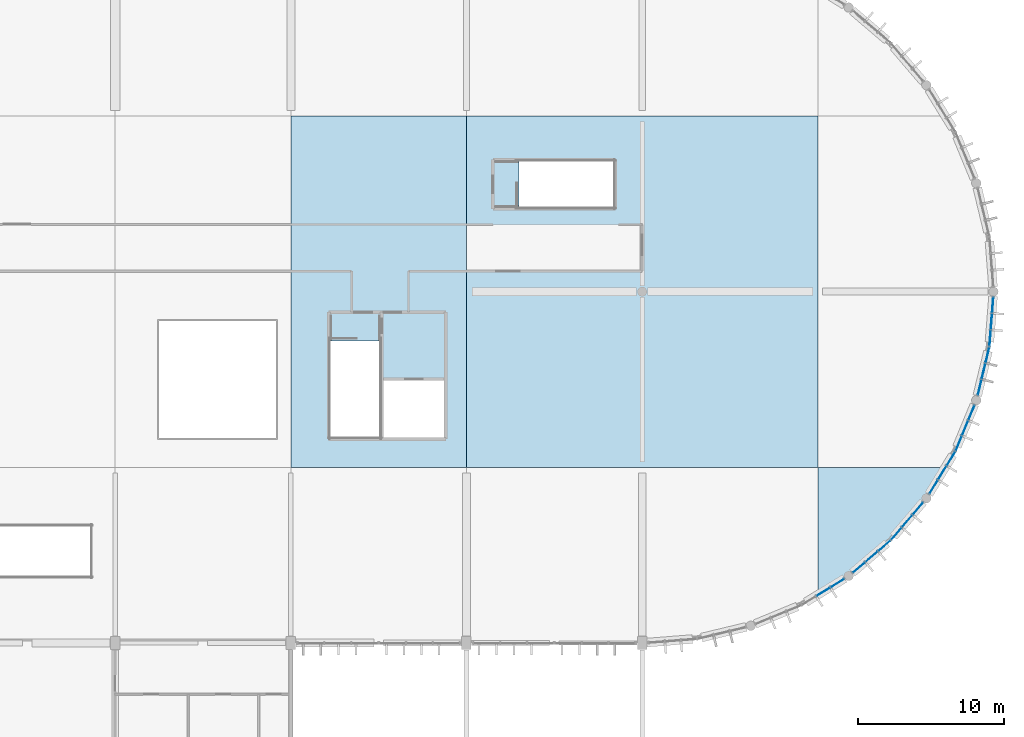
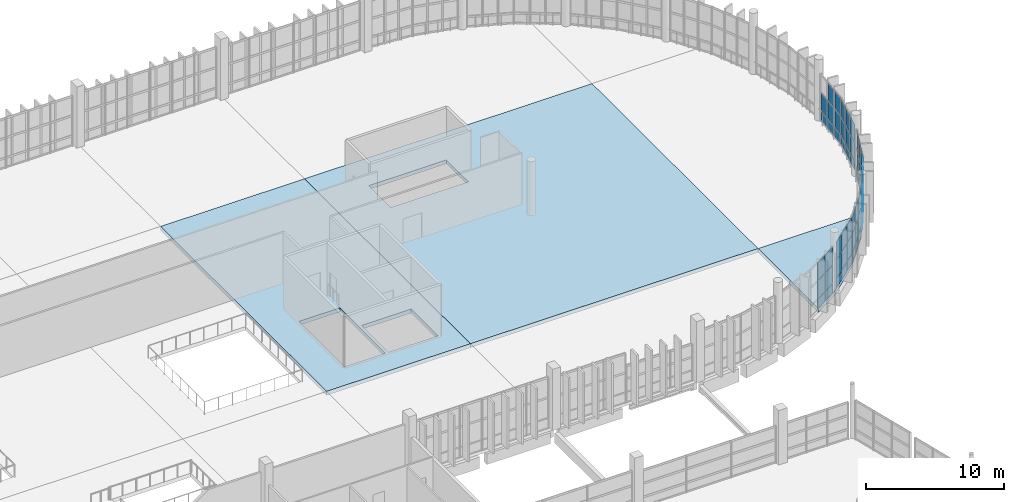
# One storey, part 69 of 112: 59 plates, 3 slabs, 7 elements without a shape of their own.
"""IFC4 building model written with IfcOpenShell, lengths in metres."""

import ifcopenshell
import ifcopenshell.guid

model = None  # the IFC model being written
_history = None  # IfcOwnerHistory: only IFC2X3 demands one
_inside = {}  # id of a spatial element -> (the spatial element, [elements in it])
_under = {}  # id of a project, library or spatial element -> (it, [spatial elements below it])
_declared = {}  # id of a project -> (the project, [libraries it declares])
_typed = {}  # id of a type object -> (the type object, [elements of that type])
_made_of = {}  # id of a material, layer set ... -> (it, [elements and type objects made of it])


def new_model(schema):
    """Start an empty IFC model of exactly this schema.

    Asked for "IFC4X3", IfcOpenShell would pick the latest addendum, in which some entities
    have other attributes; the version numbers below select the first issue.
    IFC2X3 requires an IfcOwnerHistory on every rooted entity: one is made here for all.
    """
    global model, _history
    if schema == "IFC4X3":
        model = ifcopenshell.file(schema_version=(4, 3, 0, 0))
    else:
        model = ifcopenshell.file(schema=schema)
    _inside.clear()
    _under.clear()
    _declared.clear()
    _typed.clear()
    _made_of.clear()
    _history = None
    if model.schema == "IFC2X3":
        org = make("IfcOrganization", Name="unknown")
        user = make(
            "IfcPersonAndOrganization",
            ThePerson=make("IfcPerson", FamilyName="unknown"),
            TheOrganization=org,
        )
        app = make(
            "IfcApplication",
            ApplicationDeveloper=org,
            Version="unknown",
            ApplicationFullName="unknown",
            ApplicationIdentifier="unknown",
        )
        _history = make(
            "IfcOwnerHistory",
            OwningUser=user,
            OwningApplication=app,
            ChangeAction="ADDED",
            CreationDate=0,
        )
    return model


def make(cls, **values):
    """One entity of the class cls with the attributes given. An attribute that is None is left unset."""
    return model.create_entity(
        cls, **{name: value for name, value in values.items() if value is not None}
    )


def rooted(cls, **values):
    """An entity with a GlobalId (a new one), such as an element, a storey or a relation."""
    return make(cls, GlobalId=ifcopenshell.guid.new(), OwnerHistory=_history, **values)


def si_unit(unit_type, name, prefix=None):
    """IfcSIUnit, for example si_unit("LENGTHUNIT", "METRE", prefix="MILLI")."""
    return make("IfcSIUnit", UnitType=unit_type, Prefix=prefix, Name=name)


def assignment(units):
    """IfcUnitAssignment: the units of a project."""
    return None if units is None else make("IfcUnitAssignment", Units=units)


def point(xyz):
    """IfcCartesianPoint."""
    return None if xyz is None else make("IfcCartesianPoint", Coordinates=xyz)


def direction(xyz):
    """IfcDirection."""
    return None if xyz is None else make("IfcDirection", DirectionRatios=xyz)


def frame(location, z_axis=None, x_axis=None):
    """IfcAxis2Placement3D, a coordinate frame: its origin and axes. An axis left out is left unset."""
    return make(
        "IfcAxis2Placement3D",
        Location=point(location),
        Axis=direction(z_axis),
        RefDirection=direction(x_axis),
    )


def frame_2d(location, x_axis=None):
    """IfcAxis2Placement2D, a coordinate frame in the plane: its origin and x axis."""
    return make(
        "IfcAxis2Placement2D", Location=point(location), RefDirection=direction(x_axis)
    )


def origin():
    """The frame at (0, 0, 0) with its axes left unset."""
    return frame((0.0, 0.0, 0.0))


def origin_2d():
    """The frame at (0, 0) in the plane with its x axis left unset."""
    return frame_2d((0.0, 0.0))


def place(relative_to, where):
    """IfcLocalPlacement: puts the frame where relative to a parent placement (None: the world)."""
    return make(
        "IfcLocalPlacement", PlacementRelTo=relative_to, RelativePlacement=where
    )


def context(
    kind, dimensions, precision=None, world=None, true_north=None, identifier=None
):
    """IfcGeometricRepresentationContext, for example the 3D "Model" context."""
    return make(
        "IfcGeometricRepresentationContext",
        ContextIdentifier=identifier,
        ContextType=kind,
        CoordinateSpaceDimension=dimensions,
        Precision=precision,
        WorldCoordinateSystem=world,
        TrueNorth=true_north,
    )


def subcontext(parent, identifier, kind, view, scale=None):
    """IfcGeometricRepresentationSubContext, for example "Body" below "Model"."""
    return make(
        "IfcGeometricRepresentationSubContext",
        ContextIdentifier=identifier,
        ContextType=kind,
        ParentContext=parent,
        TargetScale=scale,
        TargetView=view,
    )


def project(units=None, contexts=None):
    """IfcProject with its units and contexts."""
    return rooted(
        "IfcProject",
        Name="project",
        RepresentationContexts=contexts,
        UnitsInContext=assignment(units),
    )


def spatial(cls, under=None, at=None, **own):
    """A site, building, storey or space (cls), placed at a placement, below another one or the project."""
    s = rooted(cls, ObjectPlacement=at, **own)
    if under is not None:
        _under.setdefault(under.id(), (under, []))[1].append(s)
    return s


def polyline(points):
    """IfcPolyline through the points."""
    return make("IfcPolyline", Points=[point(p) for p in points])


def profile(cls, at=None, kind="AREA", **sizes):
    """A parametric profile (cls). Its sizes go by their IFC names, for example OverallWidth=200.0."""
    return make(cls, ProfileType=kind, Position=at, **sizes)


def rectangle(**sizes):
    """IfcRectangleProfileDef."""
    return profile("IfcRectangleProfileDef", **sizes)


def outline(outer, holes=None, kind="AREA"):
    """IfcArbitraryClosedProfileDef: a profile drawn as a closed curve; with holes, ...WithVoids."""
    if holes is None:
        return make("IfcArbitraryClosedProfileDef", ProfileType=kind, OuterCurve=outer)
    return make(
        "IfcArbitraryProfileDefWithVoids",
        ProfileType=kind,
        OuterCurve=outer,
        InnerCurves=holes,
    )


def extrude(swept, where, along, depth):
    """IfcExtrudedAreaSolid: the profile swept, set in the frame where, extruded along a direction by depth."""
    return make(
        "IfcExtrudedAreaSolid",
        SweptArea=swept,
        Position=where,
        ExtrudedDirection=direction(along),
        Depth=depth,
    )


def shape(context_of_items, identifier, shape_type, items):
    """IfcShapeRepresentation: the items that make up one representation, for example the "Body"."""
    return make(
        "IfcShapeRepresentation",
        ContextOfItems=context_of_items,
        RepresentationIdentifier=identifier,
        RepresentationType=shape_type,
        Items=items,
    )


def material(Name=None, Category=None):
    """IfcMaterial."""
    return make("IfcMaterial", Name=Name, Category=Category)


def layer(
    of_material, thickness, ventilated=None, Name=None, Category=None, Priority=None
):
    """IfcMaterialLayer: one layer of a wall or slab, of a material (None: an air gap)."""
    return make(
        "IfcMaterialLayer",
        Material=of_material,
        LayerThickness=thickness,
        IsVentilated=ventilated,
        Name=Name,
        Category=Category,
        Priority=Priority,
    )


def layer_set(layers, Name=None):
    """IfcMaterialLayerSet."""
    return make("IfcMaterialLayerSet", MaterialLayers=layers, LayerSetName=Name)


def made_of(thing, what):
    """Note that an element or type object is made of a material, layer set ...; save() writes the relation."""
    if what is not None:
        _made_of.setdefault(what.id(), (what, []))[1].append(thing)
    return thing


def type_object(cls, material=None, **own):
    """A type object (cls), such as IfcWallType, which elements share."""
    return made_of(rooted(cls, **own), material)


def element(
    cls,
    number,
    at=None,
    inside=None,
    cuts=None,
    type_object=None,
    material=None,
    context=None,
    identifier="Body",
    shape_type=None,
    held_by="IfcProductDefinitionShape",
    body=None,
    shapes=None,
    **own,
):
    """One element of the class cls, such as IfcWall. Its Tag is "e" and its number.

    at: its placement. inside: the storey or other place that contains it. cuts: it is an
    opening in that element (IfcRelVoidsElement). A single representation is given by context,
    identifier, shape_type and body (its items); several are given by shapes. held_by: the class
    of the entity that holds the representations. save() writes the other relations.
    """
    e = rooted(cls, Tag="e%d" % number, ObjectPlacement=at, **own)
    if body is not None:
        shapes = [shape(context, identifier, shape_type, body)]
    if shapes is not None:
        e.Representation = make(held_by, Representations=shapes)
    if inside is not None:
        _inside.setdefault(inside.id(), (inside, []))[1].append(e)
    if cuts is not None:
        rooted(
            "IfcRelVoidsElement", RelatingBuildingElement=cuts, RelatedOpeningElement=e
        )
    if type_object is not None:
        _typed.setdefault(type_object.id(), (type_object, []))[1].append(e)
    return made_of(e, material)


def aggregate(whole, parts):
    """IfcRelAggregates: a whole, such as a stair, and the parts it consists of."""
    return rooted("IfcRelAggregates", RelatingObject=whole, RelatedObjects=parts)


def save(model, path):
    """Write the relations noted so far, then the file.

    IfcRelAggregates (storeys below a building ...), IfcRelContainedInSpatialStructure (elements
    in a storey), IfcRelDefinesByType, IfcRelAssociatesMaterial and IfcRelDeclares: one each for
    every whole, place, type object, material and project.
    """
    for whole, parts in _under.values():
        aggregate(whole, parts)
    for where, things in _inside.values():
        rooted(
            "IfcRelContainedInSpatialStructure",
            RelatedElements=things,
            RelatingStructure=where,
        )
    for kind, things in _typed.values():
        rooted("IfcRelDefinesByType", RelatedObjects=things, RelatingType=kind)
    for what, things in _made_of.values():
        rooted("IfcRelAssociatesMaterial", RelatedObjects=things, RelatingMaterial=what)
    for by, libraries in _declared.values():
        rooted("IfcRelDeclares", RelatingContext=by, RelatedDefinitions=libraries)
    model.write(path)


model = new_model("IFC4")

# Units and contexts
model_context = context("Model", 3, precision=1e-05, world=origin(), true_north=direction((0.0, 1.0)))
body_context = subcontext(model_context, "Body", "Model", "MODEL_VIEW")
ifc_project = project(units=[si_unit("LENGTHUNIT", "METRE"), si_unit("AREAUNIT", "SQUARE_METRE"), si_unit("VOLUMEUNIT", "CUBIC_METRE"), si_unit("PLANEANGLEUNIT", "RADIAN"), si_unit("MASSUNIT", "GRAM", prefix="KILO")], contexts=[model_context])

# Site, building, storey
site_placement = place(None, origin())
site = spatial("IfcSite", under=ifc_project, at=site_placement, CompositionType="ELEMENT")
building_placement = place(site_placement, origin())
building = spatial("IfcBuilding", under=site, at=building_placement, Name="Kamomehara Wholesale Market", CompositionType="ELEMENT")
storey_placement = place(building_placement, frame((0.0, 0.0, 6.60009765625)))
storey = spatial("IfcBuildingStorey", under=building, at=storey_placement, Name="L01", CompositionType="ELEMENT", Elevation=6.60009765625)

# Curtain wall, plates
ifc_material_1 = material(Name="Anodised aluminium 6063-T5", Category="aluminium")
curtain_wall_type = type_object("IfcCurtainWallType", Name="CW-UN-05", PredefinedType="NOTDEFINED", material=ifc_material_1)
curtain_wall_1_placement = place(storey_placement, origin())
curtain_wall_1 = element("IfcCurtainWall", 1, at=curtain_wall_1_placement, inside=storey, type_object=curtain_wall_type, Name="Unitised curtain wall CW-107", PredefinedType="NOTDEFINED")
ifc_material_2 = material(Name="Solar-control Low-E double glazing", Category="glass")
ifc_layer_1 = layer(ifc_material_2, 0.028076171875)
ifc_layer_set_1 = layer_set([ifc_layer_1], Name="Solar-control Low-E double glazing")
plate_type_1 = type_object("IfcPlateType", Name="CW-PNL-GLZ", PredefinedType="CURTAIN_PANEL", material=ifc_layer_set_1)
plate_1_placement = place(storey_placement, frame((203.948974609375, 131.095947265625, 0.929931640625), z_axis=(0.0, 0.0, 1.0), x_axis=(-0.078354698359, -0.996925544484, 0.0)))
plate_1 = element("IfcPlate", 2, at=plate_1_placement, type_object=plate_type_1, Name="Curtain panel CW-107.0.1", PredefinedType="CURTAIN_PANEL", context=body_context, shape_type="SweptSolid", body=[
    extrude(rectangle(XDim=1.06005859375, YDim=0.028076171875, at=origin_2d()), origin(), (0.0, 0.0, 1.0), 1.580078125),
])
plate_2_placement = place(storey_placement, frame((203.860107421875, 129.958984375, 0.929931640625), z_axis=(0.0, 0.0, 1.0), x_axis=(-0.078354698359, -0.996925544484, 0.0)))
plate_2 = element("IfcPlate", 3, at=plate_2_placement, type_object=plate_type_1, Name="Curtain panel CW-107.1.1", PredefinedType="CURTAIN_PANEL", context=body_context, shape_type="SweptSolid", body=[
    extrude(rectangle(XDim=1.06005859375, YDim=0.028076171875, at=origin_2d()), origin(), (0.0, 0.0, 1.0), 1.580078125),
])
plate_3_placement = place(storey_placement, frame((203.860107421875, 129.958984375, 2.56982421875), z_axis=(0.0, 0.0, 1.0), x_axis=(-0.078354698359, -0.996925544484, 0.0)))
plate_3 = element("IfcPlate", 4, at=plate_3_placement, type_object=plate_type_1, Name="Curtain panel CW-107.1.2", PredefinedType="CURTAIN_PANEL", context=body_context, shape_type="SweptSolid", body=[
    extrude(rectangle(XDim=1.06005859375, YDim=0.028076171875, at=origin_2d()), origin(), (0.0, 0.0, 1.0), 1.5400390625),
])
plate_4_placement = place(storey_placement, frame((203.77099609375, 128.822998046875, 0.929931640625), z_axis=(0.0, 0.0, 1.0), x_axis=(-0.078354698359, -0.996925544484, 0.0)))
plate_4 = element("IfcPlate", 5, at=plate_4_placement, type_object=plate_type_1, Name="Curtain panel CW-107.2.1", PredefinedType="CURTAIN_PANEL", context=body_context, shape_type="SweptSolid", body=[
    extrude(rectangle(XDim=1.06005859375, YDim=0.028076171875, at=origin_2d()), origin(), (0.0, 0.0, 1.0), 1.580078125),
])
plate_5_placement = place(storey_placement, frame((203.77099609375, 128.822998046875, 2.56982421875), z_axis=(0.0, 0.0, 1.0), x_axis=(-0.078354698359, -0.996925544484, 0.0)))
plate_5 = element("IfcPlate", 6, at=plate_5_placement, type_object=plate_type_1, Name="Curtain panel CW-107.2.2", PredefinedType="CURTAIN_PANEL", context=body_context, shape_type="SweptSolid", body=[
    extrude(rectangle(XDim=1.06005859375, YDim=0.028076171875, at=origin_2d()), origin(), (0.0, 0.0, 1.0), 1.5400390625),
])

curtain_wall_2_placement = place(storey_placement, origin())
curtain_wall_2 = element("IfcCurtainWall", 7, at=curtain_wall_2_placement, inside=storey, type_object=curtain_wall_type, Name="Unitised curtain wall CW-108", PredefinedType="NOTDEFINED")
plate_6_placement = place(storey_placement, frame((203.589111328125, 127.677001953125, 0.929931640625), z_axis=(0.0, 0.0, 1.0), x_axis=(-0.233852648724, -0.972272049729, 0.0)))
plate_6 = element("IfcPlate", 8, at=plate_6_placement, type_object=plate_type_1, Name="Curtain panel CW-108.0.1", PredefinedType="CURTAIN_PANEL", context=body_context, shape_type="SweptSolid", body=[
    extrude(rectangle(XDim=1.06005859375, YDim=0.028076171875, at=origin_2d()), origin(), (0.0, 0.0, 1.0), 1.580078125),
])
plate_7_placement = place(storey_placement, frame((203.589111328125, 127.677001953125, 2.56982421875), z_axis=(0.0, 0.0, 1.0), x_axis=(-0.233852648724, -0.972272049729, 0.0)))
plate_7 = element("IfcPlate", 9, at=plate_7_placement, type_object=plate_type_1, Name="Curtain panel CW-108.0.2", PredefinedType="CURTAIN_PANEL", context=body_context, shape_type="SweptSolid", body=[
    extrude(rectangle(XDim=1.06005859375, YDim=0.028076171875, at=origin_2d()), origin(), (0.0, 0.0, 1.0), 1.5400390625),
])
plate_8_placement = place(storey_placement, frame((203.322021484375, 126.568115234375, 0.929931640625), z_axis=(0.0, 0.0, 1.0), x_axis=(-0.233852648724, -0.972272049729, 0.0)))
plate_8 = element("IfcPlate", 10, at=plate_8_placement, type_object=plate_type_1, Name="Curtain panel CW-108.1.1", PredefinedType="CURTAIN_PANEL", context=body_context, shape_type="SweptSolid", body=[
    extrude(rectangle(XDim=1.06005859375, YDim=0.028076171875, at=origin_2d()), origin(), (0.0, 0.0, 1.0), 1.580078125),
])
plate_9_placement = place(storey_placement, frame((203.322021484375, 126.568115234375, 2.56982421875), z_axis=(0.0, 0.0, 1.0), x_axis=(-0.233852648724, -0.972272049729, 0.0)))
plate_9 = element("IfcPlate", 11, at=plate_9_placement, type_object=plate_type_1, Name="Curtain panel CW-108.1.2", PredefinedType="CURTAIN_PANEL", context=body_context, shape_type="SweptSolid", body=[
    extrude(rectangle(XDim=1.06005859375, YDim=0.028076171875, at=origin_2d()), origin(), (0.0, 0.0, 1.0), 1.5400390625),
])
plate_10_placement = place(storey_placement, frame((203.055908203125, 125.4599609375, 0.929931640625), z_axis=(0.0, 0.0, 1.0), x_axis=(-0.233852648724, -0.972272049729, 0.0)))
plate_10 = element("IfcPlate", 12, at=plate_10_placement, type_object=plate_type_1, Name="Curtain panel CW-108.2.1", PredefinedType="CURTAIN_PANEL", context=body_context, shape_type="SweptSolid", body=[
    extrude(rectangle(XDim=1.06005859375, YDim=0.028076171875, at=origin_2d()), origin(), (0.0, 0.0, 1.0), 1.580078125),
])
plate_11_placement = place(storey_placement, frame((203.055908203125, 125.4599609375, 2.56982421875), z_axis=(0.0, 0.0, 1.0), x_axis=(-0.233852648724, -0.972272049729, 0.0)))
plate_11 = element("IfcPlate", 13, at=plate_11_placement, type_object=plate_type_1, Name="Curtain panel CW-108.2.2", PredefinedType="CURTAIN_PANEL", context=body_context, shape_type="SweptSolid", body=[
    extrude(rectangle(XDim=1.06005859375, YDim=0.028076171875, at=origin_2d()), origin(), (0.0, 0.0, 1.0), 1.5400390625),
])

curtain_wall_3_placement = place(storey_placement, origin())
curtain_wall_3 = element("IfcCurtainWall", 14, at=curtain_wall_3_placement, inside=storey, type_object=curtain_wall_type, Name="Unitised curtain wall CW-109", PredefinedType="NOTDEFINED")
plate_12_placement = place(storey_placement, frame((202.4970703125, 123.739990234375, 0.929931640625), z_axis=(0.0, 0.0, 1.0), x_axis=(-0.382602807209, -0.923912924423, 0.0)))
plate_12 = element("IfcPlate", 15, at=plate_12_placement, type_object=plate_type_1, Name="Curtain panel CW-109.0.1", PredefinedType="CURTAIN_PANEL", context=body_context, shape_type="SweptSolid", body=[
    extrude(rectangle(XDim=1.06005859375, YDim=0.028076171875, at=origin_2d()), origin(), (0.0, 0.0, 1.0), 1.580078125),
])
plate_13_placement = place(storey_placement, frame((202.4970703125, 123.739990234375, 2.56982421875), z_axis=(0.0, 0.0, 1.0), x_axis=(-0.382602807209, -0.923912924423, 0.0)))
plate_13 = element("IfcPlate", 16, at=plate_13_placement, type_object=plate_type_1, Name="Curtain panel CW-109.0.2", PredefinedType="CURTAIN_PANEL", context=body_context, shape_type="SweptSolid", body=[
    extrude(rectangle(XDim=1.06005859375, YDim=0.028076171875, at=origin_2d()), origin(), (0.0, 0.0, 1.0), 1.5400390625),
])
plate_14_placement = place(storey_placement, frame((202.06103515625, 122.68603515625, 0.929931640625), z_axis=(0.0, 0.0, 1.0), x_axis=(-0.382602807209, -0.923912924423, 0.0)))
plate_14 = element("IfcPlate", 17, at=plate_14_placement, type_object=plate_type_1, Name="Curtain panel CW-109.1.1", PredefinedType="CURTAIN_PANEL", context=body_context, shape_type="SweptSolid", body=[
    extrude(rectangle(XDim=1.06005859375, YDim=0.028076171875, at=origin_2d()), origin(), (0.0, 0.0, 1.0), 1.580078125),
])
plate_15_placement = place(storey_placement, frame((202.06103515625, 122.68603515625, 2.56982421875), z_axis=(0.0, 0.0, 1.0), x_axis=(-0.382602807209, -0.923912924423, 0.0)))
plate_15 = element("IfcPlate", 18, at=plate_15_placement, type_object=plate_type_1, Name="Curtain panel CW-109.1.2", PredefinedType="CURTAIN_PANEL", context=body_context, shape_type="SweptSolid", body=[
    extrude(rectangle(XDim=1.06005859375, YDim=0.028076171875, at=origin_2d()), origin(), (0.0, 0.0, 1.0), 1.5400390625),
])
plate_16_placement = place(storey_placement, frame((201.625, 121.632080078125, 0.929931640625), z_axis=(0.0, 0.0, 1.0), x_axis=(-0.382602807209, -0.923912924423, 0.0)))
plate_16 = element("IfcPlate", 19, at=plate_16_placement, type_object=plate_type_1, Name="Curtain panel CW-109.2.1", PredefinedType="CURTAIN_PANEL", context=body_context, shape_type="SweptSolid", body=[
    extrude(rectangle(XDim=1.06005859375, YDim=0.028076171875, at=origin_2d()), origin(), (0.0, 0.0, 1.0), 1.580078125),
])
plate_17_placement = place(storey_placement, frame((201.625, 121.632080078125, 2.56982421875), z_axis=(0.0, 0.0, 1.0), x_axis=(-0.382602807209, -0.923912924423, 0.0)))
plate_17 = element("IfcPlate", 20, at=plate_17_placement, type_object=plate_type_1, Name="Curtain panel CW-109.2.2", PredefinedType="CURTAIN_PANEL", context=body_context, shape_type="SweptSolid", body=[
    extrude(rectangle(XDim=1.06005859375, YDim=0.028076171875, at=origin_2d()), origin(), (0.0, 0.0, 1.0), 1.5400390625),
])

curtain_wall_4_placement = place(storey_placement, origin())
curtain_wall_4 = element("IfcCurtainWall", 21, at=curtain_wall_4_placement, inside=storey, type_object=curtain_wall_type, Name="Unitised curtain wall CW-110", PredefinedType="NOTDEFINED")
plate_18_placement = place(storey_placement, frame((201.097900390625, 120.59912109375, 0.929931640625), z_axis=(0.0, 0.0, 1.0), x_axis=(-0.522721767481, -0.852503345332, 0.0)))
plate_18 = element("IfcPlate", 22, at=plate_18_placement, type_object=plate_type_1, Name="Curtain panel CW-110.0.1", PredefinedType="CURTAIN_PANEL", context=body_context, shape_type="SweptSolid", body=[
    extrude(rectangle(XDim=1.06005859375, YDim=0.028076171875, at=origin_2d()), origin(), (0.0, 0.0, 1.0), 1.580078125),
])
plate_19_placement = place(storey_placement, frame((201.097900390625, 120.59912109375, 2.56982421875), z_axis=(0.0, 0.0, 1.0), x_axis=(-0.522721767481, -0.852503345332, 0.0)))
plate_19 = element("IfcPlate", 23, at=plate_19_placement, type_object=plate_type_1, Name="Curtain panel CW-110.0.2", PredefinedType="CURTAIN_PANEL", context=body_context, shape_type="SweptSolid", body=[
    extrude(rectangle(XDim=1.06005859375, YDim=0.028076171875, at=origin_2d()), origin(), (0.0, 0.0, 1.0), 1.5400390625),
])
plate_20_placement = place(storey_placement, frame((200.501953125, 119.626953125, 0.929931640625), z_axis=(0.0, 0.0, 1.0), x_axis=(-0.522721767481, -0.852503345332, 0.0)))
plate_20 = element("IfcPlate", 24, at=plate_20_placement, type_object=plate_type_1, Name="Curtain panel CW-110.1.1", PredefinedType="CURTAIN_PANEL", context=body_context, shape_type="SweptSolid", body=[
    extrude(rectangle(XDim=1.06005859375, YDim=0.028076171875, at=origin_2d()), origin(), (0.0, 0.0, 1.0), 1.580078125),
])
plate_21_placement = place(storey_placement, frame((200.501953125, 119.626953125, 2.56982421875), z_axis=(0.0, 0.0, 1.0), x_axis=(-0.522721767481, -0.852503345332, 0.0)))
plate_21 = element("IfcPlate", 25, at=plate_21_placement, type_object=plate_type_1, Name="Curtain panel CW-110.1.2", PredefinedType="CURTAIN_PANEL", context=body_context, shape_type="SweptSolid", body=[
    extrude(rectangle(XDim=1.06005859375, YDim=0.028076171875, at=origin_2d()), origin(), (0.0, 0.0, 1.0), 1.5400390625),
])
plate_22_placement = place(storey_placement, frame((199.906005859375, 118.655029296875, 0.929931640625), z_axis=(0.0, 0.0, 1.0), x_axis=(-0.522721767481, -0.852503345332, 0.0)))
plate_22 = element("IfcPlate", 26, at=plate_22_placement, type_object=plate_type_1, Name="Curtain panel CW-110.2.1", PredefinedType="CURTAIN_PANEL", context=body_context, shape_type="SweptSolid", body=[
    extrude(rectangle(XDim=1.06005859375, YDim=0.028076171875, at=origin_2d()), origin(), (0.0, 0.0, 1.0), 1.580078125),
])
plate_23_placement = place(storey_placement, frame((199.906005859375, 118.655029296875, 2.56982421875), z_axis=(0.0, 0.0, 1.0), x_axis=(-0.522721767481, -0.852503345332, 0.0)))
plate_23 = element("IfcPlate", 27, at=plate_23_placement, type_object=plate_type_1, Name="Curtain panel CW-110.2.2", PredefinedType="CURTAIN_PANEL", context=body_context, shape_type="SweptSolid", body=[
    extrude(rectangle(XDim=1.06005859375, YDim=0.028076171875, at=origin_2d()), origin(), (0.0, 0.0, 1.0), 1.5400390625),
])

curtain_wall_5_placement = place(storey_placement, origin())
curtain_wall_5 = element("IfcCurtainWall", 28, at=curtain_wall_5_placement, inside=storey, type_object=curtain_wall_type, Name="Unitised curtain wall CW-111", PredefinedType="NOTDEFINED")
plate_24_placement = place(storey_placement, frame((198.843017578125, 117.19189453125, 0.929931640625), z_axis=(0.0, 0.0, 1.0), x_axis=(-0.649368415243, -0.760473971471, 0.0)))
plate_24 = element("IfcPlate", 29, at=plate_24_placement, type_object=plate_type_1, Name="Curtain panel CW-111.0.1", PredefinedType="CURTAIN_PANEL", context=body_context, shape_type="SweptSolid", body=[
    extrude(rectangle(XDim=1.06005859375, YDim=0.028076171875, at=origin_2d()), origin(), (0.0, 0.0, 1.0), 1.580078125),
])
plate_25_placement = place(storey_placement, frame((198.843017578125, 117.19189453125, 2.56982421875), z_axis=(0.0, 0.0, 1.0), x_axis=(-0.649368415243, -0.760473971471, 0.0)))
plate_25 = element("IfcPlate", 30, at=plate_25_placement, type_object=plate_type_1, Name="Curtain panel CW-111.0.2", PredefinedType="CURTAIN_PANEL", context=body_context, shape_type="SweptSolid", body=[
    extrude(rectangle(XDim=1.06005859375, YDim=0.028076171875, at=origin_2d()), origin(), (0.0, 0.0, 1.0), 1.5400390625),
])
plate_26_placement = place(storey_placement, frame((198.10302734375, 116.324951171875, 0.929931640625), z_axis=(0.0, 0.0, 1.0), x_axis=(-0.649368415243, -0.760473971471, 0.0)))
plate_26 = element("IfcPlate", 31, at=plate_26_placement, type_object=plate_type_1, Name="Curtain panel CW-111.1.1", PredefinedType="CURTAIN_PANEL", context=body_context, shape_type="SweptSolid", body=[
    extrude(rectangle(XDim=1.06005859375, YDim=0.028076171875, at=origin_2d()), origin(), (0.0, 0.0, 1.0), 1.580078125),
])
plate_27_placement = place(storey_placement, frame((198.10302734375, 116.324951171875, 2.56982421875), z_axis=(0.0, 0.0, 1.0), x_axis=(-0.649368415243, -0.760473971471, 0.0)))
plate_27 = element("IfcPlate", 32, at=plate_27_placement, type_object=plate_type_1, Name="Curtain panel CW-111.1.2", PredefinedType="CURTAIN_PANEL", context=body_context, shape_type="SweptSolid", body=[
    extrude(rectangle(XDim=1.06005859375, YDim=0.028076171875, at=origin_2d()), origin(), (0.0, 0.0, 1.0), 1.5400390625),
])
plate_28_placement = place(storey_placement, frame((197.362060546875, 115.4580078125, 0.929931640625), z_axis=(0.0, 0.0, 1.0), x_axis=(-0.649368415243, -0.760473971471, 0.0)))
plate_28 = element("IfcPlate", 33, at=plate_28_placement, type_object=plate_type_1, Name="Curtain panel CW-111.2.1", PredefinedType="CURTAIN_PANEL", context=body_context, shape_type="SweptSolid", body=[
    extrude(rectangle(XDim=1.06005859375, YDim=0.028076171875, at=origin_2d()), origin(), (0.0, 0.0, 1.0), 1.580078125),
])
plate_29_placement = place(storey_placement, frame((197.362060546875, 115.4580078125, 2.56982421875), z_axis=(0.0, 0.0, 1.0), x_axis=(-0.649368415243, -0.760473971471, 0.0)))
plate_29 = element("IfcPlate", 34, at=plate_29_placement, type_object=plate_type_1, Name="Curtain panel CW-111.2.2", PredefinedType="CURTAIN_PANEL", context=body_context, shape_type="SweptSolid", body=[
    extrude(rectangle(XDim=1.06005859375, YDim=0.028076171875, at=origin_2d()), origin(), (0.0, 0.0, 1.0), 1.5400390625),
])

curtain_wall_6_placement = place(storey_placement, origin())
curtain_wall_6 = element("IfcCurtainWall", 35, at=curtain_wall_6_placement, inside=storey, type_object=curtain_wall_type, Name="Unitised curtain wall CW-112", PredefinedType="NOTDEFINED")
plate_30_placement = place(storey_placement, frame((196.5419921875, 114.637939453125, 0.929931640625), z_axis=(0.0, 0.0, 1.0), x_axis=(-0.760473971471, -0.649368415243, 0.0)))
plate_30 = element("IfcPlate", 36, at=plate_30_placement, type_object=plate_type_1, Name="Curtain panel CW-112.0.1", PredefinedType="CURTAIN_PANEL", context=body_context, shape_type="SweptSolid", body=[
    extrude(rectangle(XDim=1.06005859375, YDim=0.028076171875, at=origin_2d()), origin(), (0.0, 0.0, 1.0), 1.580078125),
])
plate_31_placement = place(storey_placement, frame((196.5419921875, 114.637939453125, 2.56982421875), z_axis=(0.0, 0.0, 1.0), x_axis=(-0.760473971471, -0.649368415243, 0.0)))
plate_31 = element("IfcPlate", 37, at=plate_31_placement, type_object=plate_type_1, Name="Curtain panel CW-112.0.2", PredefinedType="CURTAIN_PANEL", context=body_context, shape_type="SweptSolid", body=[
    extrude(rectangle(XDim=1.06005859375, YDim=0.028076171875, at=origin_2d()), origin(), (0.0, 0.0, 1.0), 1.5400390625),
])
plate_32_placement = place(storey_placement, frame((195.675048828125, 113.89697265625, 0.929931640625), z_axis=(0.0, 0.0, 1.0), x_axis=(-0.760473971471, -0.649368415243, 0.0)))
plate_32 = element("IfcPlate", 38, at=plate_32_placement, type_object=plate_type_1, Name="Curtain panel CW-112.1.1", PredefinedType="CURTAIN_PANEL", context=body_context, shape_type="SweptSolid", body=[
    extrude(rectangle(XDim=1.06005859375, YDim=0.028076171875, at=origin_2d()), origin(), (0.0, 0.0, 1.0), 1.580078125),
])
plate_33_placement = place(storey_placement, frame((195.675048828125, 113.89697265625, 2.56982421875), z_axis=(0.0, 0.0, 1.0), x_axis=(-0.760473971471, -0.649368415243, 0.0)))
plate_33 = element("IfcPlate", 39, at=plate_33_placement, type_object=plate_type_1, Name="Curtain panel CW-112.1.2", PredefinedType="CURTAIN_PANEL", context=body_context, shape_type="SweptSolid", body=[
    extrude(rectangle(XDim=1.06005859375, YDim=0.028076171875, at=origin_2d()), origin(), (0.0, 0.0, 1.0), 1.5400390625),
])
plate_34_placement = place(storey_placement, frame((194.80810546875, 113.156982421875, 0.929931640625), z_axis=(0.0, 0.0, 1.0), x_axis=(-0.760473971471, -0.649368415243, 0.0)))
plate_34 = element("IfcPlate", 40, at=plate_34_placement, type_object=plate_type_1, Name="Curtain panel CW-112.2.1", PredefinedType="CURTAIN_PANEL", context=body_context, shape_type="SweptSolid", body=[
    extrude(rectangle(XDim=1.06005859375, YDim=0.028076171875, at=origin_2d()), origin(), (0.0, 0.0, 1.0), 1.580078125),
])
plate_35_placement = place(storey_placement, frame((194.80810546875, 113.156982421875, 2.56982421875), z_axis=(0.0, 0.0, 1.0), x_axis=(-0.760473971471, -0.649368415243, 0.0)))
plate_35 = element("IfcPlate", 41, at=plate_35_placement, type_object=plate_type_1, Name="Curtain panel CW-112.2.2", PredefinedType="CURTAIN_PANEL", context=body_context, shape_type="SweptSolid", body=[
    extrude(rectangle(XDim=1.06005859375, YDim=0.028076171875, at=origin_2d()), origin(), (0.0, 0.0, 1.0), 1.5400390625),
])

curtain_wall_7_placement = place(storey_placement, origin())
curtain_wall_7 = element("IfcCurtainWall", 42, at=curtain_wall_7_placement, inside=storey, type_object=curtain_wall_type, Name="Unitised curtain wall CW-113", PredefinedType="NOTDEFINED")
plate_36_placement = place(storey_placement, frame((193.344970703125, 112.093994140625, 0.929931640625), z_axis=(0.0, 0.0, 1.0), x_axis=(-0.852503345332, -0.522721767481, 0.0)))
plate_36 = element("IfcPlate", 43, at=plate_36_placement, type_object=plate_type_1, Name="Curtain panel CW-113.0.1", PredefinedType="CURTAIN_PANEL", context=body_context, shape_type="SweptSolid", body=[
    extrude(rectangle(XDim=1.06005859375, YDim=0.028076171875, at=origin_2d()), origin(), (0.0, 0.0, 1.0), 1.580078125),
])
plate_37_placement = place(storey_placement, frame((193.344970703125, 112.093994140625, 2.56982421875), z_axis=(0.0, 0.0, 1.0), x_axis=(-0.852503345332, -0.522721767481, 0.0)))
plate_37 = element("IfcPlate", 44, at=plate_37_placement, type_object=plate_type_1, Name="Curtain panel CW-113.0.2", PredefinedType="CURTAIN_PANEL", context=body_context, shape_type="SweptSolid", body=[
    extrude(rectangle(XDim=1.06005859375, YDim=0.028076171875, at=origin_2d()), origin(), (0.0, 0.0, 1.0), 1.5400390625),
])
plate_38_placement = place(storey_placement, frame((192.373046875, 111.498046875, 0.929931640625), z_axis=(0.0, 0.0, 1.0), x_axis=(-0.852503345332, -0.522721767481, 0.0)))
plate_38 = element("IfcPlate", 45, at=plate_38_placement, type_object=plate_type_1, Name="Curtain panel CW-113.1.1", PredefinedType="CURTAIN_PANEL", context=body_context, shape_type="SweptSolid", body=[
    extrude(rectangle(XDim=1.06005859375, YDim=0.028076171875, at=origin_2d()), origin(), (0.0, 0.0, 1.0), 1.580078125),
])
plate_39_placement = place(storey_placement, frame((192.373046875, 111.498046875, 2.56982421875), z_axis=(0.0, 0.0, 1.0), x_axis=(-0.852503345332, -0.522721767481, 0.0)))
plate_39 = element("IfcPlate", 46, at=plate_39_placement, type_object=plate_type_1, Name="Curtain panel CW-113.1.2", PredefinedType="CURTAIN_PANEL", context=body_context, shape_type="SweptSolid", body=[
    extrude(rectangle(XDim=1.06005859375, YDim=0.028076171875, at=origin_2d()), origin(), (0.0, 0.0, 1.0), 1.5400390625),
])

# Plate
ifc_material_3 = material(Name="Insulated aluminium spandrel panel", Category="aluminium")
ifc_layer_2 = layer(ifc_material_3, 0.0400390625)
ifc_layer_set_2 = layer_set([ifc_layer_2], Name="Insulated aluminium spandrel panel")
plate_type_2 = type_object("IfcPlateType", Name="CW-PNL-SPN", PredefinedType="CURTAIN_PANEL", material=ifc_layer_set_2)
plate_40_placement = place(storey_placement, frame((203.948974609375, 131.095947265625, 0.06982421875), z_axis=(0.0, 0.0, 1.0), x_axis=(-0.078354698359, -0.996925544484, 0.0)))
plate_40 = element("IfcPlate", 47, at=plate_40_placement, type_object=plate_type_2, Name="Curtain panel CW-107.0.0", PredefinedType="CURTAIN_PANEL", context=body_context, shape_type="SweptSolid", body=[
    extrude(rectangle(XDim=1.06005859375, YDim=0.0400390625, at=origin_2d()), origin(), (0.0, 0.0, 1.0), 0.800048828125),
])

plate_41_placement = place(storey_placement, frame((203.860107421875, 129.958984375, 0.06982421875), z_axis=(0.0, 0.0, 1.0), x_axis=(-0.078354698359, -0.996925544484, 0.0)))
plate_41 = element("IfcPlate", 48, at=plate_41_placement, type_object=plate_type_2, Name="Curtain panel CW-107.1.0", PredefinedType="CURTAIN_PANEL", context=body_context, shape_type="SweptSolid", body=[
    extrude(rectangle(XDim=1.06005859375, YDim=0.0400390625, at=origin_2d()), origin(), (0.0, 0.0, 1.0), 0.800048828125),
])

plate_42_placement = place(storey_placement, frame((203.77099609375, 128.822998046875, 0.06982421875), z_axis=(0.0, 0.0, 1.0), x_axis=(-0.078354698359, -0.996925544484, 0.0)))
plate_42 = element("IfcPlate", 49, at=plate_42_placement, type_object=plate_type_2, Name="Curtain panel CW-107.2.0", PredefinedType="CURTAIN_PANEL", context=body_context, shape_type="SweptSolid", body=[
    extrude(rectangle(XDim=1.06005859375, YDim=0.0400390625, at=origin_2d()), origin(), (0.0, 0.0, 1.0), 0.800048828125),
])

aggregate(curtain_wall_1, [plate_40, plate_1, plate_41, plate_2, plate_3, plate_42, plate_4, plate_5])

plate_43_placement = place(storey_placement, frame((203.589111328125, 127.677001953125, 0.06982421875), z_axis=(0.0, 0.0, 1.0), x_axis=(-0.233852648724, -0.972272049729, 0.0)))
plate_43 = element("IfcPlate", 50, at=plate_43_placement, type_object=plate_type_2, Name="Curtain panel CW-108.0.0", PredefinedType="CURTAIN_PANEL", context=body_context, shape_type="SweptSolid", body=[
    extrude(rectangle(XDim=1.06005859375, YDim=0.0400390625, at=origin_2d()), origin(), (0.0, 0.0, 1.0), 0.800048828125),
])

plate_44_placement = place(storey_placement, frame((203.322021484375, 126.568115234375, 0.06982421875), z_axis=(0.0, 0.0, 1.0), x_axis=(-0.233852648724, -0.972272049729, 0.0)))
plate_44 = element("IfcPlate", 51, at=plate_44_placement, type_object=plate_type_2, Name="Curtain panel CW-108.1.0", PredefinedType="CURTAIN_PANEL", context=body_context, shape_type="SweptSolid", body=[
    extrude(rectangle(XDim=1.06005859375, YDim=0.0400390625, at=origin_2d()), origin(), (0.0, 0.0, 1.0), 0.800048828125),
])

plate_45_placement = place(storey_placement, frame((203.055908203125, 125.4599609375, 0.06982421875), z_axis=(0.0, 0.0, 1.0), x_axis=(-0.233852648724, -0.972272049729, 0.0)))
plate_45 = element("IfcPlate", 52, at=plate_45_placement, type_object=plate_type_2, Name="Curtain panel CW-108.2.0", PredefinedType="CURTAIN_PANEL", context=body_context, shape_type="SweptSolid", body=[
    extrude(rectangle(XDim=1.06005859375, YDim=0.0400390625, at=origin_2d()), origin(), (0.0, 0.0, 1.0), 0.800048828125),
])

aggregate(curtain_wall_2, [plate_43, plate_6, plate_7, plate_44, plate_8, plate_9, plate_45, plate_10, plate_11])

plate_46_placement = place(storey_placement, frame((202.4970703125, 123.739990234375, 0.06982421875), z_axis=(0.0, 0.0, 1.0), x_axis=(-0.382602807209, -0.923912924423, 0.0)))
plate_46 = element("IfcPlate", 53, at=plate_46_placement, type_object=plate_type_2, Name="Curtain panel CW-109.0.0", PredefinedType="CURTAIN_PANEL", context=body_context, shape_type="SweptSolid", body=[
    extrude(rectangle(XDim=1.06005859375, YDim=0.0400390625, at=origin_2d()), origin(), (0.0, 0.0, 1.0), 0.800048828125),
])

plate_47_placement = place(storey_placement, frame((202.06103515625, 122.68603515625, 0.06982421875), z_axis=(0.0, 0.0, 1.0), x_axis=(-0.382602807209, -0.923912924423, 0.0)))
plate_47 = element("IfcPlate", 54, at=plate_47_placement, type_object=plate_type_2, Name="Curtain panel CW-109.1.0", PredefinedType="CURTAIN_PANEL", context=body_context, shape_type="SweptSolid", body=[
    extrude(rectangle(XDim=1.06005859375, YDim=0.0400390625, at=origin_2d()), origin(), (0.0, 0.0, 1.0), 0.800048828125),
])

plate_48_placement = place(storey_placement, frame((201.625, 121.632080078125, 0.06982421875), z_axis=(0.0, 0.0, 1.0), x_axis=(-0.382602807209, -0.923912924423, 0.0)))
plate_48 = element("IfcPlate", 55, at=plate_48_placement, type_object=plate_type_2, Name="Curtain panel CW-109.2.0", PredefinedType="CURTAIN_PANEL", context=body_context, shape_type="SweptSolid", body=[
    extrude(rectangle(XDim=1.06005859375, YDim=0.0400390625, at=origin_2d()), origin(), (0.0, 0.0, 1.0), 0.800048828125),
])

aggregate(curtain_wall_3, [plate_46, plate_12, plate_13, plate_47, plate_14, plate_15, plate_48, plate_16, plate_17])

plate_49_placement = place(storey_placement, frame((201.097900390625, 120.59912109375, 0.06982421875), z_axis=(0.0, 0.0, 1.0), x_axis=(-0.522721767481, -0.852503345332, 0.0)))
plate_49 = element("IfcPlate", 56, at=plate_49_placement, type_object=plate_type_2, Name="Curtain panel CW-110.0.0", PredefinedType="CURTAIN_PANEL", context=body_context, shape_type="SweptSolid", body=[
    extrude(rectangle(XDim=1.06005859375, YDim=0.0400390625, at=origin_2d()), origin(), (0.0, 0.0, 1.0), 0.800048828125),
])

plate_50_placement = place(storey_placement, frame((200.501953125, 119.626953125, 0.06982421875), z_axis=(0.0, 0.0, 1.0), x_axis=(-0.522721767481, -0.852503345332, 0.0)))
plate_50 = element("IfcPlate", 57, at=plate_50_placement, type_object=plate_type_2, Name="Curtain panel CW-110.1.0", PredefinedType="CURTAIN_PANEL", context=body_context, shape_type="SweptSolid", body=[
    extrude(rectangle(XDim=1.06005859375, YDim=0.0400390625, at=origin_2d()), origin(), (0.0, 0.0, 1.0), 0.800048828125),
])

plate_51_placement = place(storey_placement, frame((199.906005859375, 118.655029296875, 0.06982421875), z_axis=(0.0, 0.0, 1.0), x_axis=(-0.522721767481, -0.852503345332, 0.0)))
plate_51 = element("IfcPlate", 58, at=plate_51_placement, type_object=plate_type_2, Name="Curtain panel CW-110.2.0", PredefinedType="CURTAIN_PANEL", context=body_context, shape_type="SweptSolid", body=[
    extrude(rectangle(XDim=1.06005859375, YDim=0.0400390625, at=origin_2d()), origin(), (0.0, 0.0, 1.0), 0.800048828125),
])

aggregate(curtain_wall_4, [plate_49, plate_18, plate_19, plate_50, plate_20, plate_21, plate_51, plate_22, plate_23])

plate_52_placement = place(storey_placement, frame((198.843017578125, 117.19189453125, 0.06982421875), z_axis=(0.0, 0.0, 1.0), x_axis=(-0.649368415243, -0.760473971471, 0.0)))
plate_52 = element("IfcPlate", 59, at=plate_52_placement, type_object=plate_type_2, Name="Curtain panel CW-111.0.0", PredefinedType="CURTAIN_PANEL", context=body_context, shape_type="SweptSolid", body=[
    extrude(rectangle(XDim=1.06005859375, YDim=0.0400390625, at=origin_2d()), origin(), (0.0, 0.0, 1.0), 0.800048828125),
])

plate_53_placement = place(storey_placement, frame((198.10302734375, 116.324951171875, 0.06982421875), z_axis=(0.0, 0.0, 1.0), x_axis=(-0.649368415243, -0.760473971471, 0.0)))
plate_53 = element("IfcPlate", 60, at=plate_53_placement, type_object=plate_type_2, Name="Curtain panel CW-111.1.0", PredefinedType="CURTAIN_PANEL", context=body_context, shape_type="SweptSolid", body=[
    extrude(rectangle(XDim=1.06005859375, YDim=0.0400390625, at=origin_2d()), origin(), (0.0, 0.0, 1.0), 0.800048828125),
])

plate_54_placement = place(storey_placement, frame((197.362060546875, 115.4580078125, 0.06982421875), z_axis=(0.0, 0.0, 1.0), x_axis=(-0.649368415243, -0.760473971471, 0.0)))
plate_54 = element("IfcPlate", 61, at=plate_54_placement, type_object=plate_type_2, Name="Curtain panel CW-111.2.0", PredefinedType="CURTAIN_PANEL", context=body_context, shape_type="SweptSolid", body=[
    extrude(rectangle(XDim=1.06005859375, YDim=0.0400390625, at=origin_2d()), origin(), (0.0, 0.0, 1.0), 0.800048828125),
])

aggregate(curtain_wall_5, [plate_52, plate_24, plate_25, plate_53, plate_26, plate_27, plate_54, plate_28, plate_29])

plate_55_placement = place(storey_placement, frame((196.5419921875, 114.637939453125, 0.06982421875), z_axis=(0.0, 0.0, 1.0), x_axis=(-0.760473971471, -0.649368415243, 0.0)))
plate_55 = element("IfcPlate", 62, at=plate_55_placement, type_object=plate_type_2, Name="Curtain panel CW-112.0.0", PredefinedType="CURTAIN_PANEL", context=body_context, shape_type="SweptSolid", body=[
    extrude(rectangle(XDim=1.06005859375, YDim=0.0400390625, at=origin_2d()), origin(), (0.0, 0.0, 1.0), 0.800048828125),
])

plate_56_placement = place(storey_placement, frame((195.675048828125, 113.89697265625, 0.06982421875), z_axis=(0.0, 0.0, 1.0), x_axis=(-0.760473971471, -0.649368415243, 0.0)))
plate_56 = element("IfcPlate", 63, at=plate_56_placement, type_object=plate_type_2, Name="Curtain panel CW-112.1.0", PredefinedType="CURTAIN_PANEL", context=body_context, shape_type="SweptSolid", body=[
    extrude(rectangle(XDim=1.06005859375, YDim=0.0400390625, at=origin_2d()), origin(), (0.0, 0.0, 1.0), 0.800048828125),
])

plate_57_placement = place(storey_placement, frame((194.80810546875, 113.156982421875, 0.06982421875), z_axis=(0.0, 0.0, 1.0), x_axis=(-0.760473971471, -0.649368415243, 0.0)))
plate_57 = element("IfcPlate", 64, at=plate_57_placement, type_object=plate_type_2, Name="Curtain panel CW-112.2.0", PredefinedType="CURTAIN_PANEL", context=body_context, shape_type="SweptSolid", body=[
    extrude(rectangle(XDim=1.06005859375, YDim=0.0400390625, at=origin_2d()), origin(), (0.0, 0.0, 1.0), 0.800048828125),
])

aggregate(curtain_wall_6, [plate_55, plate_30, plate_31, plate_56, plate_32, plate_33, plate_57, plate_34, plate_35])

plate_58_placement = place(storey_placement, frame((193.344970703125, 112.093994140625, 0.06982421875), z_axis=(0.0, 0.0, 1.0), x_axis=(-0.852503345332, -0.522721767481, 0.0)))
plate_58 = element("IfcPlate", 65, at=plate_58_placement, type_object=plate_type_2, Name="Curtain panel CW-113.0.0", PredefinedType="CURTAIN_PANEL", context=body_context, shape_type="SweptSolid", body=[
    extrude(rectangle(XDim=1.06005859375, YDim=0.0400390625, at=origin_2d()), origin(), (0.0, 0.0, 1.0), 0.800048828125),
])

plate_59_placement = place(storey_placement, frame((192.373046875, 111.498046875, 0.06982421875), z_axis=(0.0, 0.0, 1.0), x_axis=(-0.852503345332, -0.522721767481, 0.0)))
plate_59 = element("IfcPlate", 66, at=plate_59_placement, type_object=plate_type_2, Name="Curtain panel CW-113.1.0", PredefinedType="CURTAIN_PANEL", context=body_context, shape_type="SweptSolid", body=[
    extrude(rectangle(XDim=1.06005859375, YDim=0.0400390625, at=origin_2d()), origin(), (0.0, 0.0, 1.0), 0.800048828125),
])

aggregate(curtain_wall_7, [plate_58, plate_36, plate_37, plate_59, plate_38, plate_39])

# Slabs
ifc_material_4 = material(Name="Concrete Fc36 (C35/45)", Category="concrete")
ifc_layer_3 = layer(ifc_material_4, 0.340087890625)
ifc_layer_set_3 = layer_set([ifc_layer_3], Name="Concrete Fc36 (C35/45)")
slab_type_1 = type_object("IfcSlabType", Name="SLB-FLR-280", PredefinedType="FLOOR", material=ifc_layer_set_3)
slab_1_placement = place(storey_placement, frame((0.0, 0.0, -0.340087890625)))
element("IfcSlab", 67, at=slab_1_placement, inside=storey, type_object=slab_type_1, Name="Floor slab V1 L01 86", PredefinedType="FLOOR", context=body_context, shape_type="SweptSolid", body=[
    extrude(outline(polyline([(168.0, 120.0), (168.0, 144.0), (192.0, 144.0), (192.0, 120.0), (168.0, 120.0)]), holes=[polyline([(178.070068359375, 137.75), (178.070068359375, 140.919921875), (171.60498046875, 140.919921875), (171.60498046875, 137.75), (178.070068359375, 137.75)])]), origin(), (0.0, 0.0, 1.0), 0.340087890625),
])
ifc_material_5 = material(Name="Concrete Fc36 (C35/45)", Category="concrete")
ifc_layer_4 = layer(ifc_material_5, 0.35009765625)
ifc_layer_set_4 = layer_set([ifc_layer_4], Name="Concrete Fc36 (C35/45)")
slab_type_2 = type_object("IfcSlabType", Name="SLB-FLR-300", PredefinedType="FLOOR", material=ifc_layer_set_4)
slab_2_placement = place(storey_placement, frame((0.0, 0.0, -0.35009765625)))
element("IfcSlab", 68, at=slab_2_placement, inside=storey, type_object=slab_type_2, Name="Floor slab V1 L01 83", PredefinedType="FLOOR", context=body_context, shape_type="SweptSolid", body=[
    extrude(outline(polyline([(168.0, 144.0), (168.0, 120.0), (156.0, 120.0), (156.0, 144.0), (168.0, 144.0)]), holes=[polyline([(162.10009765625, 122.050048828125), (162.10009765625, 128.6298828125), (158.699951171875, 128.6298828125), (158.699951171875, 122.050048828125), (162.10009765625, 122.050048828125)]), polyline([(166.47998046875, 122.050048828125), (166.47998046875, 125.929931640625), (162.340087890625, 125.929931640625), (162.340087890625, 122.050048828125), (166.47998046875, 122.050048828125)])]), origin(), (0.0, 0.0, 1.0), 0.35009765625),
])
slab_3_placement = place(storey_placement, frame((0.0, 0.0, -0.35009765625)))
element("IfcSlab", 69, at=slab_3_placement, inside=storey, type_object=slab_type_2, Name="Floor slab V1 L01 88", PredefinedType="FLOOR", context=body_context, shape_type="SweptSolid", body=[
    extrude(outline(polyline([(192.0, 120.0), (200.70703125, 120.0), (199.416015625, 117.89306640625), (196.970947265625, 115.029052734375), (194.10693359375, 112.583984375), (192.0, 111.29296875), (192.0, 120.0)])), origin(), (0.0, 0.0, 1.0), 0.35009765625),
])

save(model, "model.ifc")
